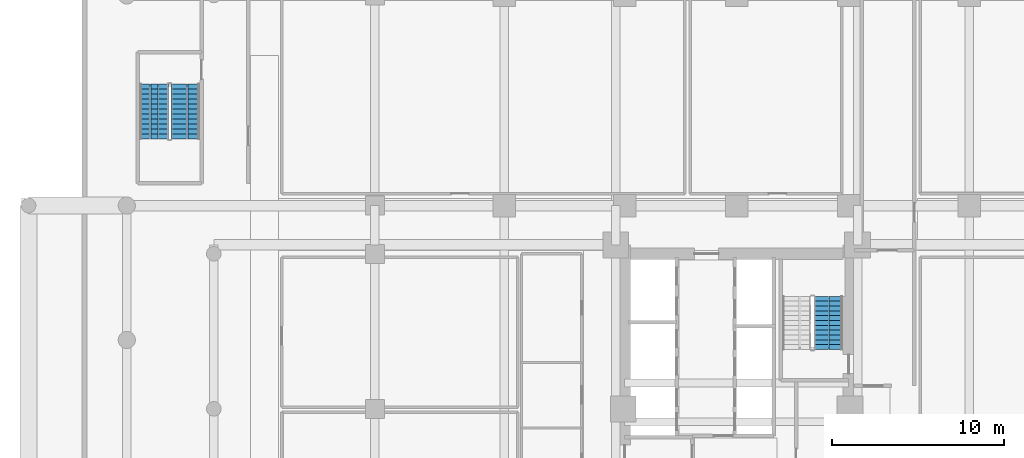
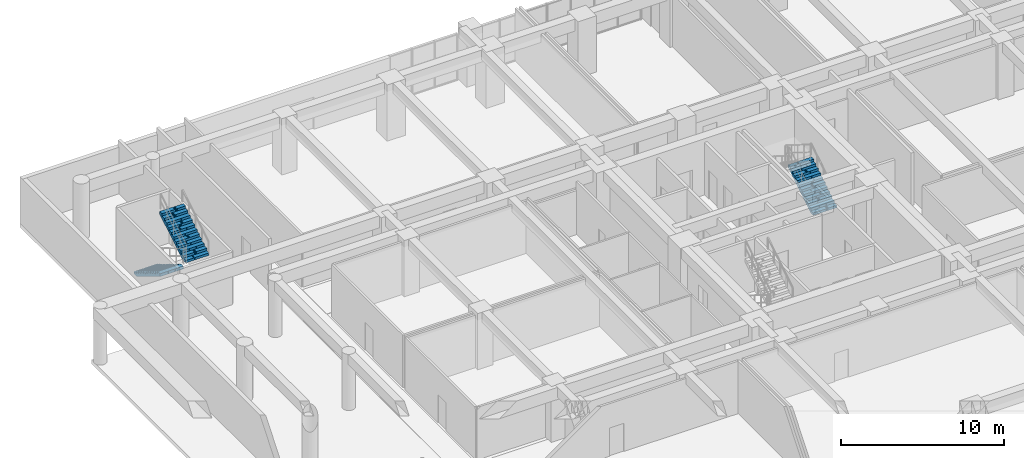
# One storey, part 18 of 24: 3 stair flights, 2 elements without a shape of their own.
"""IFC4 building model written with IfcOpenShell, lengths in metres."""

from ifc_helpers import new_model, si_unit, direction, frame, origin, place, context, subcontext, project, spatial, polyline, outline, extrude, material, type_object, element, aggregate, save


model = new_model("IFC4")

# Units and contexts
model_context = context("Model", 3, precision=1e-05, world=origin(), true_north=direction((0.0, 1.0)))
body_context = subcontext(model_context, "Body", "Model", "MODEL_VIEW")
ifc_project = project(units=[si_unit("LENGTHUNIT", "METRE"), si_unit("AREAUNIT", "SQUARE_METRE"), si_unit("VOLUMEUNIT", "CUBIC_METRE"), si_unit("PLANEANGLEUNIT", "RADIAN"), si_unit("MASSUNIT", "GRAM", prefix="KILO")], contexts=[model_context])

# Site, building, storey
site_placement = place(None, origin())
site = spatial("IfcSite", under=ifc_project, at=site_placement, CompositionType="ELEMENT")
building_placement = place(site_placement, origin())
building = spatial("IfcBuilding", under=site, at=building_placement, Name="Saelheon Loggia Tower", CompositionType="ELEMENT")
storey_placement = place(building_placement, origin())
storey = spatial("IfcBuildingStorey", under=building, at=storey_placement, Name="L00", CompositionType="ELEMENT", Elevation=0.0)

# Stair, stair flights
ifc_material = material(Name="Concrete C40/50", Category="concrete")
stair_type_1 = type_object("IfcStairType", Name="Stair_Escape_Podium", PredefinedType="HALF_TURN_STAIR", material=ifc_material)
stair_1_placement = place(storey_placement, origin())
stair_1 = element("IfcStair", 1, at=stair_1_placement, inside=storey, type_object=stair_type_1, Name="L00 Podium Escape Stair ST3", PredefinedType="HALF_TURN_STAIR")
stair_flight_type_1 = type_object("IfcStairFlightType", Name="StairFlight_Podium_1660", PredefinedType="STRAIGHT", material=ifc_material)
stair_flight_1_placement = place(storey_placement, frame((4.179931640625, 45.85009765625, 0.0), z_axis=(0.0, 0.0, 1.0), x_axis=(0.0, -1.0, 0.0)))
stair_flight_1 = element("IfcStairFlight", 2, at=stair_flight_1_placement, type_object=stair_flight_type_1, Name="ST3 flight 1", NumberOfRisers=12, NumberOfTreads=11, PredefinedType="STRAIGHT", RiserHeight=0.175, TreadLength=0.29, context=body_context, shape_type="SweptSolid", body=[
    extrude(outline(polyline([(0.0, 0.0), (0.0, 0.175048828125), (0.2900390625, 0.175048828125), (0.2900390625, 0.35009765625), (0.580078125, 0.35009765625), (0.580078125, 0.52490234375), (0.8701171875, 0.52490234375), (0.8701171875, 0.699951171875), (1.159912109375, 0.699951171875), (1.159912109375, 0.875), (1.449951171875, 0.875), (1.449951171875, 1.050048828125), (1.739990234375, 1.050048828125), (1.739990234375, 1.22509765625), (2.030029296875, 1.22509765625), (2.030029296875, 1.39990234375), (2.320068359375, 1.39990234375), (2.320068359375, 1.574951171875), (2.610107421875, 1.574951171875), (2.610107421875, 1.75), (2.89990234375, 1.75), (2.89990234375, 1.925048828125), (3.18994140625, 1.925048828125), (3.18994140625, 2.10009765625), (3.18994140625, 1.71484375), (0.34814453125, 0.0), (0.0, 0.0)])), frame((0.0, -0.2490234375, 0.0), z_axis=(0.0, -1.0, 0.0), x_axis=(1.0, 0.0, 0.0)), (0.0, 0.0, 1.0), 0.5810546875),
    extrude(outline(polyline([(0.0, 0.0), (0.0, 0.175048828125), (0.2900390625, 0.175048828125), (0.2900390625, 0.35009765625), (0.580078125, 0.35009765625), (0.580078125, 0.52490234375), (0.8701171875, 0.52490234375), (0.8701171875, 0.699951171875), (1.159912109375, 0.699951171875), (1.159912109375, 0.875), (1.449951171875, 0.875), (1.449951171875, 1.050048828125), (1.739990234375, 1.050048828125), (1.739990234375, 1.22509765625), (2.030029296875, 1.22509765625), (2.030029296875, 1.39990234375), (2.320068359375, 1.39990234375), (2.320068359375, 1.574951171875), (2.610107421875, 1.574951171875), (2.610107421875, 1.75), (2.89990234375, 1.75), (2.89990234375, 1.925048828125), (3.18994140625, 1.925048828125), (3.18994140625, 2.10009765625), (3.18994140625, 1.71484375), (0.34814453125, 0.0), (0.0, 0.0)])), frame((0.0, -0.194091796875, 0.0), z_axis=(0.0, -1.0, 0.0), x_axis=(1.0, 0.0, 0.0)), (0.0, 0.0, 1.0), 0.0498046875),
    extrude(outline(polyline([(0.0, 0.0), (0.0, 0.175048828125), (0.2900390625, 0.175048828125), (0.2900390625, 0.35009765625), (0.580078125, 0.35009765625), (0.580078125, 0.52490234375), (0.8701171875, 0.52490234375), (0.8701171875, 0.699951171875), (1.159912109375, 0.699951171875), (1.159912109375, 0.875), (1.449951171875, 0.875), (1.449951171875, 1.050048828125), (1.739990234375, 1.050048828125), (1.739990234375, 1.22509765625), (2.030029296875, 1.22509765625), (2.030029296875, 1.39990234375), (2.320068359375, 1.39990234375), (2.320068359375, 1.574951171875), (2.610107421875, 1.574951171875), (2.610107421875, 1.75), (2.89990234375, 1.75), (2.89990234375, 1.925048828125), (3.18994140625, 1.925048828125), (3.18994140625, 2.10009765625), (3.18994140625, 1.71484375), (0.34814453125, 0.0), (0.0, 0.0)])), frame((0.0, -0.139404296875, 0.0), z_axis=(0.0, -1.0, 0.0), x_axis=(1.0, 0.0, 0.0)), (0.0, 0.0, 1.0), 0.0498046875),
    extrude(outline(polyline([(0.0, 0.0), (0.0, 0.175048828125), (0.2900390625, 0.175048828125), (0.2900390625, 0.35009765625), (0.580078125, 0.35009765625), (0.580078125, 0.52490234375), (0.8701171875, 0.52490234375), (0.8701171875, 0.699951171875), (1.159912109375, 0.699951171875), (1.159912109375, 0.875), (1.449951171875, 0.875), (1.449951171875, 1.050048828125), (1.739990234375, 1.050048828125), (1.739990234375, 1.22509765625), (2.030029296875, 1.22509765625), (2.030029296875, 1.39990234375), (2.320068359375, 1.39990234375), (2.320068359375, 1.574951171875), (2.610107421875, 1.574951171875), (2.610107421875, 1.75), (2.89990234375, 1.75), (2.89990234375, 1.925048828125), (3.18994140625, 1.925048828125), (3.18994140625, 2.10009765625), (3.18994140625, 1.71484375), (0.34814453125, 0.0), (0.0, 0.0)])), frame((0.0, -0.084716796875, 0.0), z_axis=(0.0, -1.0, 0.0), x_axis=(1.0, 0.0, 0.0)), (0.0, 0.0, 1.0), 0.0498046875),
    extrude(outline(polyline([(0.0, 0.0), (0.0, 0.175048828125), (0.2900390625, 0.175048828125), (0.2900390625, 0.35009765625), (0.580078125, 0.35009765625), (0.580078125, 0.52490234375), (0.8701171875, 0.52490234375), (0.8701171875, 0.699951171875), (1.159912109375, 0.699951171875), (1.159912109375, 0.875), (1.449951171875, 0.875), (1.449951171875, 1.050048828125), (1.739990234375, 1.050048828125), (1.739990234375, 1.22509765625), (2.030029296875, 1.22509765625), (2.030029296875, 1.39990234375), (2.320068359375, 1.39990234375), (2.320068359375, 1.574951171875), (2.610107421875, 1.574951171875), (2.610107421875, 1.75), (2.89990234375, 1.75), (2.89990234375, 1.925048828125), (3.18994140625, 1.925048828125), (3.18994140625, 2.10009765625), (3.18994140625, 1.71484375), (0.34814453125, 0.0), (0.0, 0.0)])), frame((0.0, -0.02978515625, 0.0), z_axis=(0.0, -1.0, 0.0), x_axis=(1.0, 0.0, 0.0)), (0.0, 0.0, 1.0), 0.0498046875),
    extrude(outline(polyline([(0.0, 0.0), (0.0, 0.175048828125), (0.2900390625, 0.175048828125), (0.2900390625, 0.35009765625), (0.580078125, 0.35009765625), (0.580078125, 0.52490234375), (0.8701171875, 0.52490234375), (0.8701171875, 0.699951171875), (1.159912109375, 0.699951171875), (1.159912109375, 0.875), (1.449951171875, 0.875), (1.449951171875, 1.050048828125), (1.739990234375, 1.050048828125), (1.739990234375, 1.22509765625), (2.030029296875, 1.22509765625), (2.030029296875, 1.39990234375), (2.320068359375, 1.39990234375), (2.320068359375, 1.574951171875), (2.610107421875, 1.574951171875), (2.610107421875, 1.75), (2.89990234375, 1.75), (2.89990234375, 1.925048828125), (3.18994140625, 1.925048828125), (3.18994140625, 2.10009765625), (3.18994140625, 1.71484375), (0.34814453125, 0.0), (0.0, 0.0)])), frame((0.0, 0.02490234375, 0.0), z_axis=(0.0, -1.0, 0.0), x_axis=(1.0, 0.0, 0.0)), (0.0, 0.0, 1.0), 0.0498046875),
    extrude(outline(polyline([(0.0, 0.0), (0.0, 0.175048828125), (0.2900390625, 0.175048828125), (0.2900390625, 0.35009765625), (0.580078125, 0.35009765625), (0.580078125, 0.52490234375), (0.8701171875, 0.52490234375), (0.8701171875, 0.699951171875), (1.159912109375, 0.699951171875), (1.159912109375, 0.875), (1.449951171875, 0.875), (1.449951171875, 1.050048828125), (1.739990234375, 1.050048828125), (1.739990234375, 1.22509765625), (2.030029296875, 1.22509765625), (2.030029296875, 1.39990234375), (2.320068359375, 1.39990234375), (2.320068359375, 1.574951171875), (2.610107421875, 1.574951171875), (2.610107421875, 1.75), (2.89990234375, 1.75), (2.89990234375, 1.925048828125), (3.18994140625, 1.925048828125), (3.18994140625, 2.10009765625), (3.18994140625, 1.71484375), (0.34814453125, 0.0), (0.0, 0.0)])), frame((0.0, 0.07958984375, 0.0), z_axis=(0.0, -1.0, 0.0), x_axis=(1.0, 0.0, 0.0)), (0.0, 0.0, 1.0), 0.0498046875),
    extrude(outline(polyline([(0.0, 0.0), (0.0, 0.175048828125), (0.2900390625, 0.175048828125), (0.2900390625, 0.35009765625), (0.580078125, 0.35009765625), (0.580078125, 0.52490234375), (0.8701171875, 0.52490234375), (0.8701171875, 0.699951171875), (1.159912109375, 0.699951171875), (1.159912109375, 0.875), (1.449951171875, 0.875), (1.449951171875, 1.050048828125), (1.739990234375, 1.050048828125), (1.739990234375, 1.22509765625), (2.030029296875, 1.22509765625), (2.030029296875, 1.39990234375), (2.320068359375, 1.39990234375), (2.320068359375, 1.574951171875), (2.610107421875, 1.574951171875), (2.610107421875, 1.75), (2.89990234375, 1.75), (2.89990234375, 1.925048828125), (3.18994140625, 1.925048828125), (3.18994140625, 2.10009765625), (3.18994140625, 1.71484375), (0.34814453125, 0.0), (0.0, 0.0)])), frame((0.0, 0.134521484375, 0.0), z_axis=(0.0, -1.0, 0.0), x_axis=(1.0, 0.0, 0.0)), (0.0, 0.0, 1.0), 0.0498046875),
    extrude(outline(polyline([(0.0, 0.0), (0.0, 0.175048828125), (0.2900390625, 0.175048828125), (0.2900390625, 0.35009765625), (0.580078125, 0.35009765625), (0.580078125, 0.52490234375), (0.8701171875, 0.52490234375), (0.8701171875, 0.699951171875), (1.159912109375, 0.699951171875), (1.159912109375, 0.875), (1.449951171875, 0.875), (1.449951171875, 1.050048828125), (1.739990234375, 1.050048828125), (1.739990234375, 1.22509765625), (2.030029296875, 1.22509765625), (2.030029296875, 1.39990234375), (2.320068359375, 1.39990234375), (2.320068359375, 1.574951171875), (2.610107421875, 1.574951171875), (2.610107421875, 1.75), (2.89990234375, 1.75), (2.89990234375, 1.925048828125), (3.18994140625, 1.925048828125), (3.18994140625, 2.10009765625), (3.18994140625, 1.71484375), (0.34814453125, 0.0), (0.0, 0.0)])), frame((0.0, 0.189208984375, 0.0), z_axis=(0.0, -1.0, 0.0), x_axis=(1.0, 0.0, 0.0)), (0.0, 0.0, 1.0), 0.0498046875),
    extrude(outline(polyline([(0.0, 0.0), (0.0, 0.175048828125), (0.2900390625, 0.175048828125), (0.2900390625, 0.35009765625), (0.580078125, 0.35009765625), (0.580078125, 0.52490234375), (0.8701171875, 0.52490234375), (0.8701171875, 0.699951171875), (1.159912109375, 0.699951171875), (1.159912109375, 0.875), (1.449951171875, 0.875), (1.449951171875, 1.050048828125), (1.739990234375, 1.050048828125), (1.739990234375, 1.22509765625), (2.030029296875, 1.22509765625), (2.030029296875, 1.39990234375), (2.320068359375, 1.39990234375), (2.320068359375, 1.574951171875), (2.610107421875, 1.574951171875), (2.610107421875, 1.75), (2.89990234375, 1.75), (2.89990234375, 1.925048828125), (3.18994140625, 1.925048828125), (3.18994140625, 2.10009765625), (3.18994140625, 1.71484375), (0.34814453125, 0.0), (0.0, 0.0)])), frame((0.0, 0.243896484375, 0.0), z_axis=(0.0, -1.0, 0.0), x_axis=(1.0, 0.0, 0.0)), (0.0, 0.0, 1.0), 0.0498046875),
    extrude(outline(polyline([(0.0, 0.0), (0.0, 0.175048828125), (0.2900390625, 0.175048828125), (0.2900390625, 0.35009765625), (0.580078125, 0.35009765625), (0.580078125, 0.52490234375), (0.8701171875, 0.52490234375), (0.8701171875, 0.699951171875), (1.159912109375, 0.699951171875), (1.159912109375, 0.875), (1.449951171875, 0.875), (1.449951171875, 1.050048828125), (1.739990234375, 1.050048828125), (1.739990234375, 1.22509765625), (2.030029296875, 1.22509765625), (2.030029296875, 1.39990234375), (2.320068359375, 1.39990234375), (2.320068359375, 1.574951171875), (2.610107421875, 1.574951171875), (2.610107421875, 1.75), (2.89990234375, 1.75), (2.89990234375, 1.925048828125), (3.18994140625, 1.925048828125), (3.18994140625, 2.10009765625), (3.18994140625, 1.71484375), (0.34814453125, 0.0), (0.0, 0.0)])), frame((0.0, 0.830078125, 0.0), z_axis=(0.0, -1.0, 0.0), x_axis=(1.0, 0.0, 0.0)), (0.0, 0.0, 1.0), 0.5810546875),
])
stair_flight_2_placement = place(storey_placement, frame((6.0, 42.659912109375, 2.10009765625), z_axis=(0.0, 0.0, 1.0), x_axis=(0.0, 1.0, 0.0)))
stair_flight_2 = element("IfcStairFlight", 3, at=stair_flight_2_placement, type_object=stair_flight_type_1, Name="ST3 flight 2", NumberOfRisers=12, NumberOfTreads=11, PredefinedType="STRAIGHT", RiserHeight=0.175, TreadLength=0.29, context=body_context, shape_type="SweptSolid", body=[
    extrude(outline(polyline([(0.0, 0.0), (0.0, 0.175048828125), (0.2900390625, 0.175048828125), (0.2900390625, 0.35009765625), (0.580078125, 0.35009765625), (0.580078125, 0.52490234375), (0.8701171875, 0.52490234375), (0.8701171875, 0.699951171875), (1.159912109375, 0.699951171875), (1.159912109375, 0.875), (1.449951171875, 0.875), (1.449951171875, 1.050048828125), (1.739990234375, 1.050048828125), (1.739990234375, 1.22509765625), (2.030029296875, 1.22509765625), (2.030029296875, 1.39990234375), (2.320068359375, 1.39990234375), (2.320068359375, 1.574951171875), (2.610107421875, 1.574951171875), (2.610107421875, 1.75), (2.89990234375, 1.75), (2.89990234375, 1.925048828125), (3.18994140625, 1.925048828125), (3.18994140625, 2.10009765625), (3.18994140625, 1.71484375), (0.34814453125, 0.0), (0.0, 0.0)])), frame((0.0, -0.2490234375, 0.0), z_axis=(0.0, -1.0, 0.0), x_axis=(1.0, 0.0, 0.0)), (0.0, 0.0, 1.0), 0.5810546875),
    extrude(outline(polyline([(0.0, 0.0), (0.0, 0.175048828125), (0.2900390625, 0.175048828125), (0.2900390625, 0.35009765625), (0.580078125, 0.35009765625), (0.580078125, 0.52490234375), (0.8701171875, 0.52490234375), (0.8701171875, 0.699951171875), (1.159912109375, 0.699951171875), (1.159912109375, 0.875), (1.449951171875, 0.875), (1.449951171875, 1.050048828125), (1.739990234375, 1.050048828125), (1.739990234375, 1.22509765625), (2.030029296875, 1.22509765625), (2.030029296875, 1.39990234375), (2.320068359375, 1.39990234375), (2.320068359375, 1.574951171875), (2.610107421875, 1.574951171875), (2.610107421875, 1.75), (2.89990234375, 1.75), (2.89990234375, 1.925048828125), (3.18994140625, 1.925048828125), (3.18994140625, 2.10009765625), (3.18994140625, 1.71484375), (0.34814453125, 0.0), (0.0, 0.0)])), frame((0.0, -0.194091796875, 0.0), z_axis=(0.0, -1.0, 0.0), x_axis=(1.0, 0.0, 0.0)), (0.0, 0.0, 1.0), 0.0498046875),
    extrude(outline(polyline([(0.0, 0.0), (0.0, 0.175048828125), (0.2900390625, 0.175048828125), (0.2900390625, 0.35009765625), (0.580078125, 0.35009765625), (0.580078125, 0.52490234375), (0.8701171875, 0.52490234375), (0.8701171875, 0.699951171875), (1.159912109375, 0.699951171875), (1.159912109375, 0.875), (1.449951171875, 0.875), (1.449951171875, 1.050048828125), (1.739990234375, 1.050048828125), (1.739990234375, 1.22509765625), (2.030029296875, 1.22509765625), (2.030029296875, 1.39990234375), (2.320068359375, 1.39990234375), (2.320068359375, 1.574951171875), (2.610107421875, 1.574951171875), (2.610107421875, 1.75), (2.89990234375, 1.75), (2.89990234375, 1.925048828125), (3.18994140625, 1.925048828125), (3.18994140625, 2.10009765625), (3.18994140625, 1.71484375), (0.34814453125, 0.0), (0.0, 0.0)])), frame((0.0, -0.139404296875, 0.0), z_axis=(0.0, -1.0, 0.0), x_axis=(1.0, 0.0, 0.0)), (0.0, 0.0, 1.0), 0.0498046875),
    extrude(outline(polyline([(0.0, 0.0), (0.0, 0.175048828125), (0.2900390625, 0.175048828125), (0.2900390625, 0.35009765625), (0.580078125, 0.35009765625), (0.580078125, 0.52490234375), (0.8701171875, 0.52490234375), (0.8701171875, 0.699951171875), (1.159912109375, 0.699951171875), (1.159912109375, 0.875), (1.449951171875, 0.875), (1.449951171875, 1.050048828125), (1.739990234375, 1.050048828125), (1.739990234375, 1.22509765625), (2.030029296875, 1.22509765625), (2.030029296875, 1.39990234375), (2.320068359375, 1.39990234375), (2.320068359375, 1.574951171875), (2.610107421875, 1.574951171875), (2.610107421875, 1.75), (2.89990234375, 1.75), (2.89990234375, 1.925048828125), (3.18994140625, 1.925048828125), (3.18994140625, 2.10009765625), (3.18994140625, 1.71484375), (0.34814453125, 0.0), (0.0, 0.0)])), frame((0.0, -0.084716796875, 0.0), z_axis=(0.0, -1.0, 0.0), x_axis=(1.0, 0.0, 0.0)), (0.0, 0.0, 1.0), 0.0498046875),
    extrude(outline(polyline([(0.0, 0.0), (0.0, 0.175048828125), (0.2900390625, 0.175048828125), (0.2900390625, 0.35009765625), (0.580078125, 0.35009765625), (0.580078125, 0.52490234375), (0.8701171875, 0.52490234375), (0.8701171875, 0.699951171875), (1.159912109375, 0.699951171875), (1.159912109375, 0.875), (1.449951171875, 0.875), (1.449951171875, 1.050048828125), (1.739990234375, 1.050048828125), (1.739990234375, 1.22509765625), (2.030029296875, 1.22509765625), (2.030029296875, 1.39990234375), (2.320068359375, 1.39990234375), (2.320068359375, 1.574951171875), (2.610107421875, 1.574951171875), (2.610107421875, 1.75), (2.89990234375, 1.75), (2.89990234375, 1.925048828125), (3.18994140625, 1.925048828125), (3.18994140625, 2.10009765625), (3.18994140625, 1.71484375), (0.34814453125, 0.0), (0.0, 0.0)])), frame((0.0, -0.02978515625, 0.0), z_axis=(0.0, -1.0, 0.0), x_axis=(1.0, 0.0, 0.0)), (0.0, 0.0, 1.0), 0.0498046875),
    extrude(outline(polyline([(0.0, 0.0), (0.0, 0.175048828125), (0.2900390625, 0.175048828125), (0.2900390625, 0.35009765625), (0.580078125, 0.35009765625), (0.580078125, 0.52490234375), (0.8701171875, 0.52490234375), (0.8701171875, 0.699951171875), (1.159912109375, 0.699951171875), (1.159912109375, 0.875), (1.449951171875, 0.875), (1.449951171875, 1.050048828125), (1.739990234375, 1.050048828125), (1.739990234375, 1.22509765625), (2.030029296875, 1.22509765625), (2.030029296875, 1.39990234375), (2.320068359375, 1.39990234375), (2.320068359375, 1.574951171875), (2.610107421875, 1.574951171875), (2.610107421875, 1.75), (2.89990234375, 1.75), (2.89990234375, 1.925048828125), (3.18994140625, 1.925048828125), (3.18994140625, 2.10009765625), (3.18994140625, 1.71484375), (0.34814453125, 0.0), (0.0, 0.0)])), frame((0.0, 0.02490234375, 0.0), z_axis=(0.0, -1.0, 0.0), x_axis=(1.0, 0.0, 0.0)), (0.0, 0.0, 1.0), 0.0498046875),
    extrude(outline(polyline([(0.0, 0.0), (0.0, 0.175048828125), (0.2900390625, 0.175048828125), (0.2900390625, 0.35009765625), (0.580078125, 0.35009765625), (0.580078125, 0.52490234375), (0.8701171875, 0.52490234375), (0.8701171875, 0.699951171875), (1.159912109375, 0.699951171875), (1.159912109375, 0.875), (1.449951171875, 0.875), (1.449951171875, 1.050048828125), (1.739990234375, 1.050048828125), (1.739990234375, 1.22509765625), (2.030029296875, 1.22509765625), (2.030029296875, 1.39990234375), (2.320068359375, 1.39990234375), (2.320068359375, 1.574951171875), (2.610107421875, 1.574951171875), (2.610107421875, 1.75), (2.89990234375, 1.75), (2.89990234375, 1.925048828125), (3.18994140625, 1.925048828125), (3.18994140625, 2.10009765625), (3.18994140625, 1.71484375), (0.34814453125, 0.0), (0.0, 0.0)])), frame((0.0, 0.07958984375, 0.0), z_axis=(0.0, -1.0, 0.0), x_axis=(1.0, 0.0, 0.0)), (0.0, 0.0, 1.0), 0.0498046875),
    extrude(outline(polyline([(0.0, 0.0), (0.0, 0.175048828125), (0.2900390625, 0.175048828125), (0.2900390625, 0.35009765625), (0.580078125, 0.35009765625), (0.580078125, 0.52490234375), (0.8701171875, 0.52490234375), (0.8701171875, 0.699951171875), (1.159912109375, 0.699951171875), (1.159912109375, 0.875), (1.449951171875, 0.875), (1.449951171875, 1.050048828125), (1.739990234375, 1.050048828125), (1.739990234375, 1.22509765625), (2.030029296875, 1.22509765625), (2.030029296875, 1.39990234375), (2.320068359375, 1.39990234375), (2.320068359375, 1.574951171875), (2.610107421875, 1.574951171875), (2.610107421875, 1.75), (2.89990234375, 1.75), (2.89990234375, 1.925048828125), (3.18994140625, 1.925048828125), (3.18994140625, 2.10009765625), (3.18994140625, 1.71484375), (0.34814453125, 0.0), (0.0, 0.0)])), frame((0.0, 0.134521484375, 0.0), z_axis=(0.0, -1.0, 0.0), x_axis=(1.0, 0.0, 0.0)), (0.0, 0.0, 1.0), 0.0498046875),
    extrude(outline(polyline([(0.0, 0.0), (0.0, 0.175048828125), (0.2900390625, 0.175048828125), (0.2900390625, 0.35009765625), (0.580078125, 0.35009765625), (0.580078125, 0.52490234375), (0.8701171875, 0.52490234375), (0.8701171875, 0.699951171875), (1.159912109375, 0.699951171875), (1.159912109375, 0.875), (1.449951171875, 0.875), (1.449951171875, 1.050048828125), (1.739990234375, 1.050048828125), (1.739990234375, 1.22509765625), (2.030029296875, 1.22509765625), (2.030029296875, 1.39990234375), (2.320068359375, 1.39990234375), (2.320068359375, 1.574951171875), (2.610107421875, 1.574951171875), (2.610107421875, 1.75), (2.89990234375, 1.75), (2.89990234375, 1.925048828125), (3.18994140625, 1.925048828125), (3.18994140625, 2.10009765625), (3.18994140625, 1.71484375), (0.34814453125, 0.0), (0.0, 0.0)])), frame((0.0, 0.189208984375, 0.0), z_axis=(0.0, -1.0, 0.0), x_axis=(1.0, 0.0, 0.0)), (0.0, 0.0, 1.0), 0.0498046875),
    extrude(outline(polyline([(0.0, 0.0), (0.0, 0.175048828125), (0.2900390625, 0.175048828125), (0.2900390625, 0.35009765625), (0.580078125, 0.35009765625), (0.580078125, 0.52490234375), (0.8701171875, 0.52490234375), (0.8701171875, 0.699951171875), (1.159912109375, 0.699951171875), (1.159912109375, 0.875), (1.449951171875, 0.875), (1.449951171875, 1.050048828125), (1.739990234375, 1.050048828125), (1.739990234375, 1.22509765625), (2.030029296875, 1.22509765625), (2.030029296875, 1.39990234375), (2.320068359375, 1.39990234375), (2.320068359375, 1.574951171875), (2.610107421875, 1.574951171875), (2.610107421875, 1.75), (2.89990234375, 1.75), (2.89990234375, 1.925048828125), (3.18994140625, 1.925048828125), (3.18994140625, 2.10009765625), (3.18994140625, 1.71484375), (0.34814453125, 0.0), (0.0, 0.0)])), frame((0.0, 0.243896484375, 0.0), z_axis=(0.0, -1.0, 0.0), x_axis=(1.0, 0.0, 0.0)), (0.0, 0.0, 1.0), 0.0498046875),
    extrude(outline(polyline([(0.0, 0.0), (0.0, 0.175048828125), (0.2900390625, 0.175048828125), (0.2900390625, 0.35009765625), (0.580078125, 0.35009765625), (0.580078125, 0.52490234375), (0.8701171875, 0.52490234375), (0.8701171875, 0.699951171875), (1.159912109375, 0.699951171875), (1.159912109375, 0.875), (1.449951171875, 0.875), (1.449951171875, 1.050048828125), (1.739990234375, 1.050048828125), (1.739990234375, 1.22509765625), (2.030029296875, 1.22509765625), (2.030029296875, 1.39990234375), (2.320068359375, 1.39990234375), (2.320068359375, 1.574951171875), (2.610107421875, 1.574951171875), (2.610107421875, 1.75), (2.89990234375, 1.75), (2.89990234375, 1.925048828125), (3.18994140625, 1.925048828125), (3.18994140625, 2.10009765625), (3.18994140625, 1.71484375), (0.34814453125, 0.0), (0.0, 0.0)])), frame((0.0, 0.830078125, 0.0), z_axis=(0.0, -1.0, 0.0), x_axis=(1.0, 0.0, 0.0)), (0.0, 0.0, 1.0), 0.5810546875),
])
aggregate(stair_1, [stair_flight_1, stair_flight_2])

# Stair, stair flight
stair_type_2 = type_object("IfcStairType", Name="Stair_Escape_Core", PredefinedType="HALF_TURN_STAIR", material=ifc_material)
stair_2_placement = place(storey_placement, origin())
stair_2 = element("IfcStair", 4, at=stair_2_placement, inside=storey, type_object=stair_type_2, Name="L00 Special Escape Stair ST2", PredefinedType="HALF_TURN_STAIR")
stair_flight_type_2 = type_object("IfcStairFlightType", Name="StairFlight_Tower_1660", PredefinedType="STRAIGHT", material=ifc_material)
stair_flight_3_placement = place(storey_placement, frame((43.320068359375, 30.449951171875, 0.0), z_axis=(0.0, 0.0, 1.0), x_axis=(0.0, 1.0, 0.0)))
stair_flight_3 = element("IfcStairFlight", 5, at=stair_flight_3_placement, type_object=stair_flight_type_2, Name="ST2 flight 1", NumberOfRisers=12, NumberOfTreads=11, PredefinedType="STRAIGHT", RiserHeight=0.175, TreadLength=0.28, context=body_context, shape_type="SweptSolid", body=[
    extrude(outline(polyline([(0.0, 0.0), (0.0, 0.175048828125), (0.280029296875, 0.175048828125), (0.280029296875, 0.35009765625), (0.56005859375, 0.35009765625), (0.56005859375, 0.52490234375), (0.840087890625, 0.52490234375), (0.840087890625, 0.699951171875), (1.1201171875, 0.699951171875), (1.1201171875, 0.875), (1.39990234375, 0.875), (1.39990234375, 1.050048828125), (1.679931640625, 1.050048828125), (1.679931640625, 1.22509765625), (1.9599609375, 1.22509765625), (1.9599609375, 1.39990234375), (2.239990234375, 1.39990234375), (2.239990234375, 1.574951171875), (2.52001953125, 1.574951171875), (2.52001953125, 1.75), (2.800048828125, 1.75), (2.800048828125, 1.925048828125), (3.080078125, 1.925048828125), (3.080078125, 2.10009765625), (3.080078125, 1.712890625), (0.339599609375, 0.0), (0.0, 0.0)])), frame((0.0, -0.2490234375, 0.0), z_axis=(0.0, -1.0, 0.0), x_axis=(1.0, 0.0, 0.0)), (0.0, 0.0, 1.0), 0.5810546875),
    extrude(outline(polyline([(0.0, 0.0), (0.0, 0.175048828125), (0.280029296875, 0.175048828125), (0.280029296875, 0.35009765625), (0.56005859375, 0.35009765625), (0.56005859375, 0.52490234375), (0.840087890625, 0.52490234375), (0.840087890625, 0.699951171875), (1.1201171875, 0.699951171875), (1.1201171875, 0.875), (1.39990234375, 0.875), (1.39990234375, 1.050048828125), (1.679931640625, 1.050048828125), (1.679931640625, 1.22509765625), (1.9599609375, 1.22509765625), (1.9599609375, 1.39990234375), (2.239990234375, 1.39990234375), (2.239990234375, 1.574951171875), (2.52001953125, 1.574951171875), (2.52001953125, 1.75), (2.800048828125, 1.75), (2.800048828125, 1.925048828125), (3.080078125, 1.925048828125), (3.080078125, 2.10009765625), (3.080078125, 1.712890625), (0.339599609375, 0.0), (0.0, 0.0)])), frame((0.0, -0.194091796875, 0.0), z_axis=(0.0, -1.0, 0.0), x_axis=(1.0, 0.0, 0.0)), (0.0, 0.0, 1.0), 0.0498046875),
    extrude(outline(polyline([(0.0, 0.0), (0.0, 0.175048828125), (0.280029296875, 0.175048828125), (0.280029296875, 0.35009765625), (0.56005859375, 0.35009765625), (0.56005859375, 0.52490234375), (0.840087890625, 0.52490234375), (0.840087890625, 0.699951171875), (1.1201171875, 0.699951171875), (1.1201171875, 0.875), (1.39990234375, 0.875), (1.39990234375, 1.050048828125), (1.679931640625, 1.050048828125), (1.679931640625, 1.22509765625), (1.9599609375, 1.22509765625), (1.9599609375, 1.39990234375), (2.239990234375, 1.39990234375), (2.239990234375, 1.574951171875), (2.52001953125, 1.574951171875), (2.52001953125, 1.75), (2.800048828125, 1.75), (2.800048828125, 1.925048828125), (3.080078125, 1.925048828125), (3.080078125, 2.10009765625), (3.080078125, 1.712890625), (0.339599609375, 0.0), (0.0, 0.0)])), frame((0.0, -0.139404296875, 0.0), z_axis=(0.0, -1.0, 0.0), x_axis=(1.0, 0.0, 0.0)), (0.0, 0.0, 1.0), 0.0498046875),
    extrude(outline(polyline([(0.0, 0.0), (0.0, 0.175048828125), (0.280029296875, 0.175048828125), (0.280029296875, 0.35009765625), (0.56005859375, 0.35009765625), (0.56005859375, 0.52490234375), (0.840087890625, 0.52490234375), (0.840087890625, 0.699951171875), (1.1201171875, 0.699951171875), (1.1201171875, 0.875), (1.39990234375, 0.875), (1.39990234375, 1.050048828125), (1.679931640625, 1.050048828125), (1.679931640625, 1.22509765625), (1.9599609375, 1.22509765625), (1.9599609375, 1.39990234375), (2.239990234375, 1.39990234375), (2.239990234375, 1.574951171875), (2.52001953125, 1.574951171875), (2.52001953125, 1.75), (2.800048828125, 1.75), (2.800048828125, 1.925048828125), (3.080078125, 1.925048828125), (3.080078125, 2.10009765625), (3.080078125, 1.712890625), (0.339599609375, 0.0), (0.0, 0.0)])), frame((0.0, -0.084716796875, 0.0), z_axis=(0.0, -1.0, 0.0), x_axis=(1.0, 0.0, 0.0)), (0.0, 0.0, 1.0), 0.0498046875),
    extrude(outline(polyline([(0.0, 0.0), (0.0, 0.175048828125), (0.280029296875, 0.175048828125), (0.280029296875, 0.35009765625), (0.56005859375, 0.35009765625), (0.56005859375, 0.52490234375), (0.840087890625, 0.52490234375), (0.840087890625, 0.699951171875), (1.1201171875, 0.699951171875), (1.1201171875, 0.875), (1.39990234375, 0.875), (1.39990234375, 1.050048828125), (1.679931640625, 1.050048828125), (1.679931640625, 1.22509765625), (1.9599609375, 1.22509765625), (1.9599609375, 1.39990234375), (2.239990234375, 1.39990234375), (2.239990234375, 1.574951171875), (2.52001953125, 1.574951171875), (2.52001953125, 1.75), (2.800048828125, 1.75), (2.800048828125, 1.925048828125), (3.080078125, 1.925048828125), (3.080078125, 2.10009765625), (3.080078125, 1.712890625), (0.339599609375, 0.0), (0.0, 0.0)])), frame((0.0, -0.02978515625, 0.0), z_axis=(0.0, -1.0, 0.0), x_axis=(1.0, 0.0, 0.0)), (0.0, 0.0, 1.0), 0.0498046875),
    extrude(outline(polyline([(0.0, 0.0), (0.0, 0.175048828125), (0.280029296875, 0.175048828125), (0.280029296875, 0.35009765625), (0.56005859375, 0.35009765625), (0.56005859375, 0.52490234375), (0.840087890625, 0.52490234375), (0.840087890625, 0.699951171875), (1.1201171875, 0.699951171875), (1.1201171875, 0.875), (1.39990234375, 0.875), (1.39990234375, 1.050048828125), (1.679931640625, 1.050048828125), (1.679931640625, 1.22509765625), (1.9599609375, 1.22509765625), (1.9599609375, 1.39990234375), (2.239990234375, 1.39990234375), (2.239990234375, 1.574951171875), (2.52001953125, 1.574951171875), (2.52001953125, 1.75), (2.800048828125, 1.75), (2.800048828125, 1.925048828125), (3.080078125, 1.925048828125), (3.080078125, 2.10009765625), (3.080078125, 1.712890625), (0.339599609375, 0.0), (0.0, 0.0)])), frame((0.0, 0.02490234375, 0.0), z_axis=(0.0, -1.0, 0.0), x_axis=(1.0, 0.0, 0.0)), (0.0, 0.0, 1.0), 0.0498046875),
    extrude(outline(polyline([(0.0, 0.0), (0.0, 0.175048828125), (0.280029296875, 0.175048828125), (0.280029296875, 0.35009765625), (0.56005859375, 0.35009765625), (0.56005859375, 0.52490234375), (0.840087890625, 0.52490234375), (0.840087890625, 0.699951171875), (1.1201171875, 0.699951171875), (1.1201171875, 0.875), (1.39990234375, 0.875), (1.39990234375, 1.050048828125), (1.679931640625, 1.050048828125), (1.679931640625, 1.22509765625), (1.9599609375, 1.22509765625), (1.9599609375, 1.39990234375), (2.239990234375, 1.39990234375), (2.239990234375, 1.574951171875), (2.52001953125, 1.574951171875), (2.52001953125, 1.75), (2.800048828125, 1.75), (2.800048828125, 1.925048828125), (3.080078125, 1.925048828125), (3.080078125, 2.10009765625), (3.080078125, 1.712890625), (0.339599609375, 0.0), (0.0, 0.0)])), frame((0.0, 0.07958984375, 0.0), z_axis=(0.0, -1.0, 0.0), x_axis=(1.0, 0.0, 0.0)), (0.0, 0.0, 1.0), 0.0498046875),
    extrude(outline(polyline([(0.0, 0.0), (0.0, 0.175048828125), (0.280029296875, 0.175048828125), (0.280029296875, 0.35009765625), (0.56005859375, 0.35009765625), (0.56005859375, 0.52490234375), (0.840087890625, 0.52490234375), (0.840087890625, 0.699951171875), (1.1201171875, 0.699951171875), (1.1201171875, 0.875), (1.39990234375, 0.875), (1.39990234375, 1.050048828125), (1.679931640625, 1.050048828125), (1.679931640625, 1.22509765625), (1.9599609375, 1.22509765625), (1.9599609375, 1.39990234375), (2.239990234375, 1.39990234375), (2.239990234375, 1.574951171875), (2.52001953125, 1.574951171875), (2.52001953125, 1.75), (2.800048828125, 1.75), (2.800048828125, 1.925048828125), (3.080078125, 1.925048828125), (3.080078125, 2.10009765625), (3.080078125, 1.712890625), (0.339599609375, 0.0), (0.0, 0.0)])), frame((0.0, 0.134521484375, 0.0), z_axis=(0.0, -1.0, 0.0), x_axis=(1.0, 0.0, 0.0)), (0.0, 0.0, 1.0), 0.0498046875),
    extrude(outline(polyline([(0.0, 0.0), (0.0, 0.175048828125), (0.280029296875, 0.175048828125), (0.280029296875, 0.35009765625), (0.56005859375, 0.35009765625), (0.56005859375, 0.52490234375), (0.840087890625, 0.52490234375), (0.840087890625, 0.699951171875), (1.1201171875, 0.699951171875), (1.1201171875, 0.875), (1.39990234375, 0.875), (1.39990234375, 1.050048828125), (1.679931640625, 1.050048828125), (1.679931640625, 1.22509765625), (1.9599609375, 1.22509765625), (1.9599609375, 1.39990234375), (2.239990234375, 1.39990234375), (2.239990234375, 1.574951171875), (2.52001953125, 1.574951171875), (2.52001953125, 1.75), (2.800048828125, 1.75), (2.800048828125, 1.925048828125), (3.080078125, 1.925048828125), (3.080078125, 2.10009765625), (3.080078125, 1.712890625), (0.339599609375, 0.0), (0.0, 0.0)])), frame((0.0, 0.189208984375, 0.0), z_axis=(0.0, -1.0, 0.0), x_axis=(1.0, 0.0, 0.0)), (0.0, 0.0, 1.0), 0.0498046875),
    extrude(outline(polyline([(0.0, 0.0), (0.0, 0.175048828125), (0.280029296875, 0.175048828125), (0.280029296875, 0.35009765625), (0.56005859375, 0.35009765625), (0.56005859375, 0.52490234375), (0.840087890625, 0.52490234375), (0.840087890625, 0.699951171875), (1.1201171875, 0.699951171875), (1.1201171875, 0.875), (1.39990234375, 0.875), (1.39990234375, 1.050048828125), (1.679931640625, 1.050048828125), (1.679931640625, 1.22509765625), (1.9599609375, 1.22509765625), (1.9599609375, 1.39990234375), (2.239990234375, 1.39990234375), (2.239990234375, 1.574951171875), (2.52001953125, 1.574951171875), (2.52001953125, 1.75), (2.800048828125, 1.75), (2.800048828125, 1.925048828125), (3.080078125, 1.925048828125), (3.080078125, 2.10009765625), (3.080078125, 1.712890625), (0.339599609375, 0.0), (0.0, 0.0)])), frame((0.0, 0.243896484375, 0.0), z_axis=(0.0, -1.0, 0.0), x_axis=(1.0, 0.0, 0.0)), (0.0, 0.0, 1.0), 0.0498046875),
    extrude(outline(polyline([(0.0, 0.0), (0.0, 0.175048828125), (0.280029296875, 0.175048828125), (0.280029296875, 0.35009765625), (0.56005859375, 0.35009765625), (0.56005859375, 0.52490234375), (0.840087890625, 0.52490234375), (0.840087890625, 0.699951171875), (1.1201171875, 0.699951171875), (1.1201171875, 0.875), (1.39990234375, 0.875), (1.39990234375, 1.050048828125), (1.679931640625, 1.050048828125), (1.679931640625, 1.22509765625), (1.9599609375, 1.22509765625), (1.9599609375, 1.39990234375), (2.239990234375, 1.39990234375), (2.239990234375, 1.574951171875), (2.52001953125, 1.574951171875), (2.52001953125, 1.75), (2.800048828125, 1.75), (2.800048828125, 1.925048828125), (3.080078125, 1.925048828125), (3.080078125, 2.10009765625), (3.080078125, 1.712890625), (0.339599609375, 0.0), (0.0, 0.0)])), frame((0.0, 0.830078125, 0.0), z_axis=(0.0, -1.0, 0.0), x_axis=(1.0, 0.0, 0.0)), (0.0, 0.0, 1.0), 0.5810546875),
])
aggregate(stair_2, [stair_flight_3])

save(model, "model.ifc")
